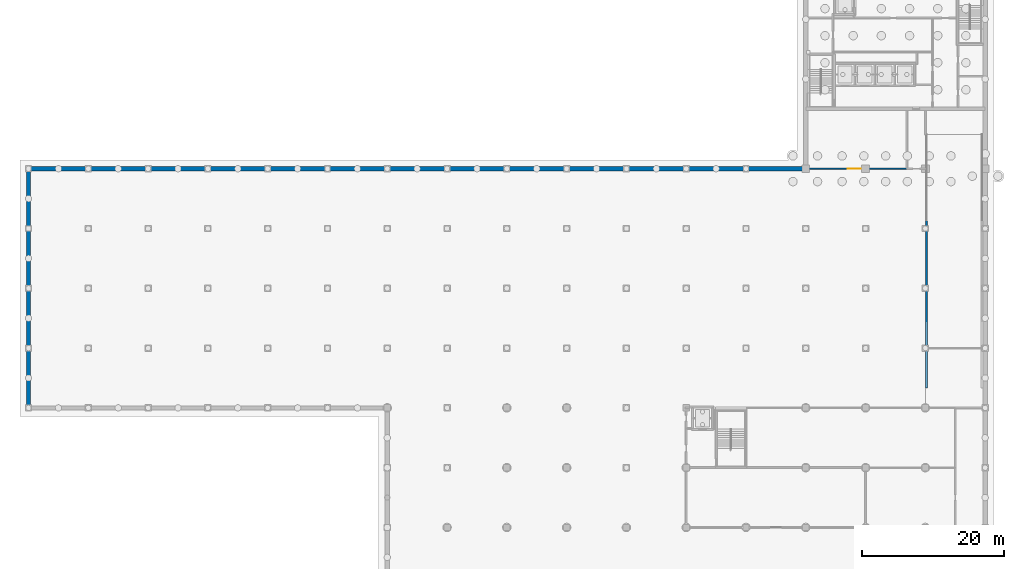
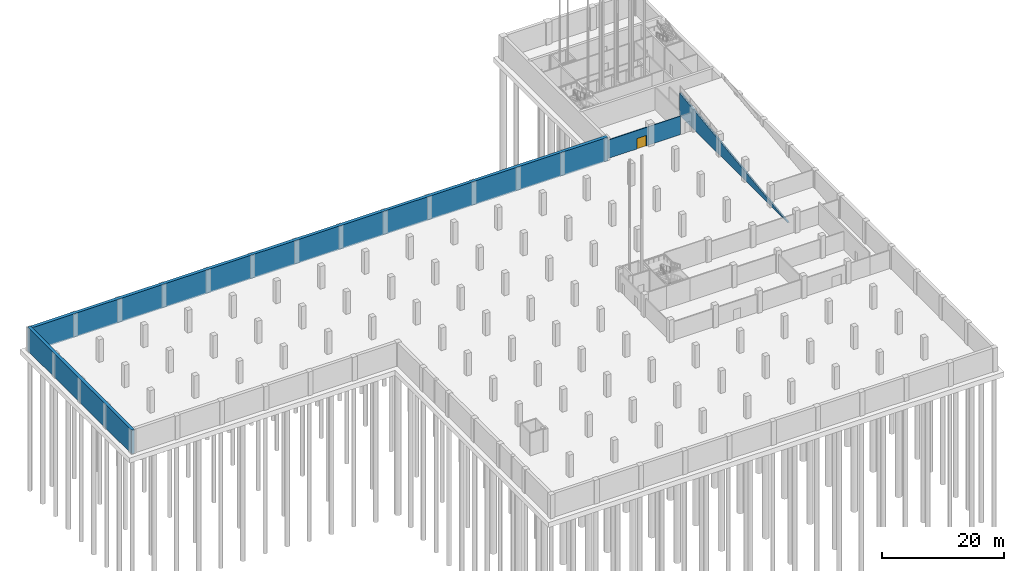
# One storey, part 6 of 26: 4 walls, 1 door, 1 opening.
"""IFC4 building model written with IfcOpenShell, lengths in metres."""

from ifc_helpers import new_model, si_unit, direction, frame, frame_2d, origin, place, context, subcontext, project, spatial, polyline, rectangle, outline, extrude, material, layer, layer_set, type_object, element, fill, save


model = new_model("IFC4")

# Units and contexts
model_context = context("Model", 3, precision=1e-05, world=origin(), true_north=direction((0.0, 1.0)))
body_context = subcontext(model_context, "Body", "Model", "MODEL_VIEW")
ifc_project = project(units=[si_unit("LENGTHUNIT", "METRE"), si_unit("AREAUNIT", "SQUARE_METRE"), si_unit("VOLUMEUNIT", "CUBIC_METRE"), si_unit("PLANEANGLEUNIT", "RADIAN"), si_unit("MASSUNIT", "GRAM", prefix="KILO")], contexts=[model_context])

# Site, building, storey
site_placement = place(None, origin())
site = spatial("IfcSite", under=ifc_project, at=site_placement, CompositionType="ELEMENT")
building_placement = place(site_placement, origin())
building = spatial("IfcBuilding", under=site, at=building_placement, Name="Rulbaag Community and Learning Centre", CompositionType="ELEMENT")
storey_placement = place(building_placement, frame((0.0, 0.0, -9.60009765625)))
storey = spatial("IfcBuildingStorey", under=building, at=storey_placement, Name="B2", CompositionType="ELEMENT", Elevation=-9.60009765625)

# Wall, opening, door
ifc_material_1 = material(Name="Concrete blockwork", Category="masonry")
ifc_layer_1 = layer(ifc_material_1, 0.14990234375)
ifc_layer_set_1 = layer_set([ifc_layer_1], Name="IP-150 PARTITION 150")
wall_type_1 = type_object("IfcWallType", Name="IP-150 PARTITION 150", PredefinedType="PARTITIONING", material=ifc_layer_set_1)
wall_1_placement = place(storey_placement, frame((143.10009765625, 84.0, 0.0), z_axis=(0.0, 0.0, 1.0), x_axis=(1.0, 0.0, 0.0)))
wall_1 = element("IfcWall", 1, at=wall_1_placement, inside=storey, type_object=wall_type_1, Name="Partition B2 13", PredefinedType="PARTITIONING", context=body_context, shape_type="SweptSolid", body=[
    extrude(rectangle(XDim=13.89990234375, YDim=0.14990234375, at=frame_2d((6.949951171875, 0.0))), origin(), (0.0, 0.0, 1.0), 3.7001953125),
])
opening_placement = place(wall_1_placement, frame((5.60009765625, 0.0, 0.0)))
opening = element("IfcOpeningElement", 2, at=opening_placement, cuts=wall_1, Name="Opening B2-D010", PredefinedType="OPENING", context=body_context, shape_type="SweptSolid", body=[
    extrude(rectangle(XDim=1.800048828125, YDim=2.10009765625, at=frame_2d((0.89990234375, 1.050048828125))), frame((0.0, 0.0849609375, 0.0), z_axis=(0.0, -1.0, 0.0), x_axis=(1.0, 0.0, 0.0)), (0.0, 0.0, 1.0), 0.169921875),
])
ifc_material_2 = material(Name="Timber", Category="wood")
door_type = type_object("IfcDoorType", Name="D-1800 BASEMENT STORE DOUBLE DOOR 1800 x 2100", OperationType="DOUBLE_DOOR_SINGLE_SWING", PredefinedType="DOOR", material=ifc_material_2)
door_placement = place(opening_placement, origin())
door = element("IfcDoor", 3, at=door_placement, inside=storey, type_object=door_type, Name="Door B2-D010", OperationType="DOUBLE_DOOR_SINGLE_SWING", OverallHeight=2.10009765625, OverallWidth=1.800048828125, PredefinedType="DOOR", context=body_context, shape_type="SweptSolid", body=[
    extrude(rectangle(XDim=1.800048828125, YDim=2.10009765625, at=frame_2d((0.89990234375, 1.050048828125))), frame((0.0, 0.02490234375, 0.0), z_axis=(0.0, -1.0, 0.0), x_axis=(1.0, 0.0, 0.0)), (0.0, 0.0, 1.0), 0.050048828125),
])
fill(opening, door)

# Walls
ifc_material_3 = material(Name="Concrete M35", Category="concrete")
ifc_layer_2 = layer(ifc_material_3, 0.300048828125)
ifc_layer_set_2 = layer_set([ifc_layer_2], Name="W11 Ramp side wall 300 Concrete M35")
wall_type_2 = type_object("IfcWallType", Name="W11 Ramp side wall 300 Concrete M35", PredefinedType="SOLIDWALL", material=ifc_layer_set_2)
wall_2_placement = place(storey_placement, frame((159.75, 53.21875, 0.0), z_axis=(0.0, 0.0, 1.0), x_axis=(0.0, 1.0, 0.0)))
element("IfcWall", 4, at=wall_2_placement, inside=storey, type_object=wall_type_2, Name="WL-R2-W", PredefinedType="SOLIDWALL", context=body_context, shape_type="SweptSolid", body=[
    extrude(outline(polyline([(0.0, 0.0), (35.581298828125, 0.0), (35.581298828125, 4.497802734375), (0.0, 0.050048828125), (0.0, 0.0)])), frame((0.0, 0.14990234375, 0.0), z_axis=(0.0, -1.0, 0.0), x_axis=(1.0, 0.0, 0.0)), (0.0, 0.0, 1.0), 0.300048828125),
])
ifc_material_4 = material(Name="Concrete M40", Category="concrete")
ifc_layer_3 = layer(ifc_material_4, 0.60009765625)
ifc_layer_set_3 = layer_set([ifc_layer_3], Name="W9 Retaining wall 600 Concrete M40")
wall_type_3 = type_object("IfcWallType", Name="W9 Retaining wall 600 Concrete M40", PredefinedType="SOLIDWALL", material=ifc_layer_set_3)
wall_3_placement = place(storey_placement, frame((143.10009765625, 84.0, -0.25), z_axis=(0.0, 0.0, 1.0), x_axis=(-1.0, 0.0, 0.0)))
element("IfcWall", 5, at=wall_3_placement, inside=storey, type_object=wall_type_3, Name="WL-RET-5-B2", PredefinedType="SOLIDWALL", context=body_context, shape_type="SweptSolid", body=[
    extrude(rectangle(XDim=109.800048828125, YDim=0.60009765625, at=frame_2d((54.89990234375, 0.0))), origin(), (0.0, 0.0, 1.0), 4.75),
])
wall_4_placement = place(storey_placement, frame((33.60009765625, 84.300048828125, -0.25), z_axis=(0.0, 0.0, 1.0), x_axis=(0.0, -1.0, 0.0)))
element("IfcWall", 6, at=wall_4_placement, inside=storey, type_object=wall_type_3, Name="WL-RET-6-B2", PredefinedType="SOLIDWALL", context=body_context, shape_type="SweptSolid", body=[
    extrude(rectangle(XDim=34.199951171875, YDim=0.60009765625, at=frame_2d((17.10009765625, 0.0))), origin(), (0.0, 0.0, 1.0), 4.75),
])

save(model, "model.ifc")
